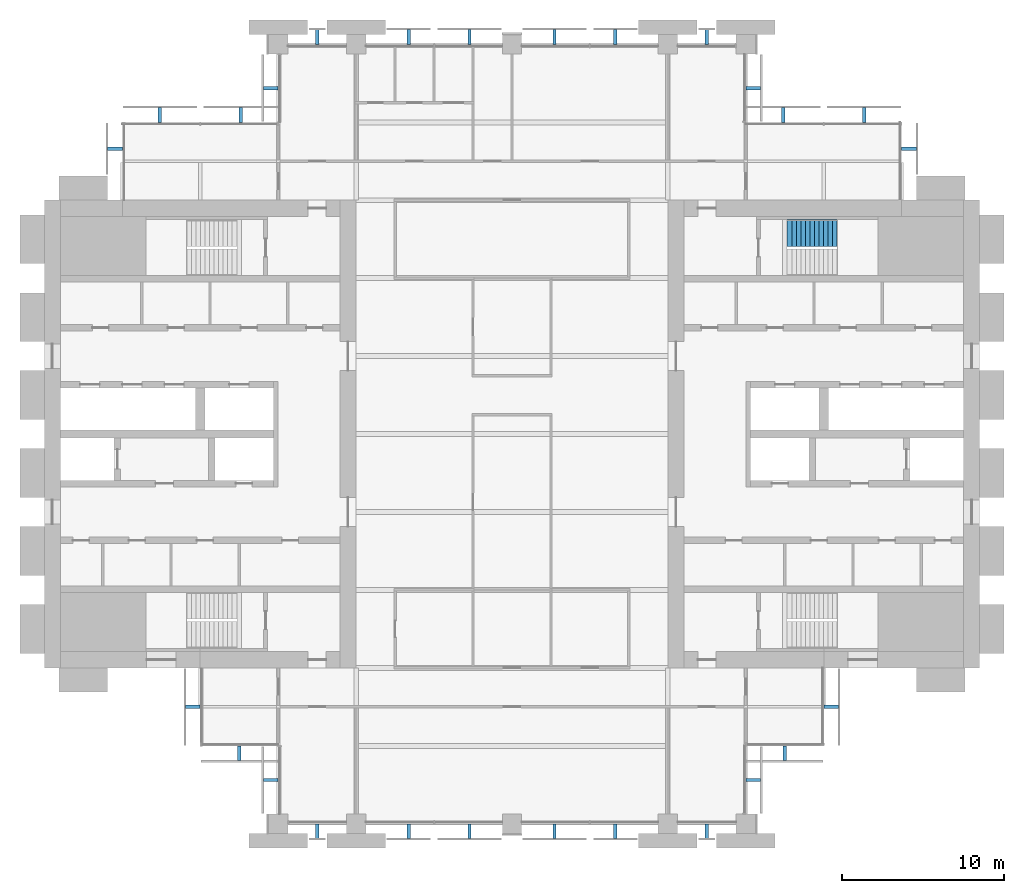
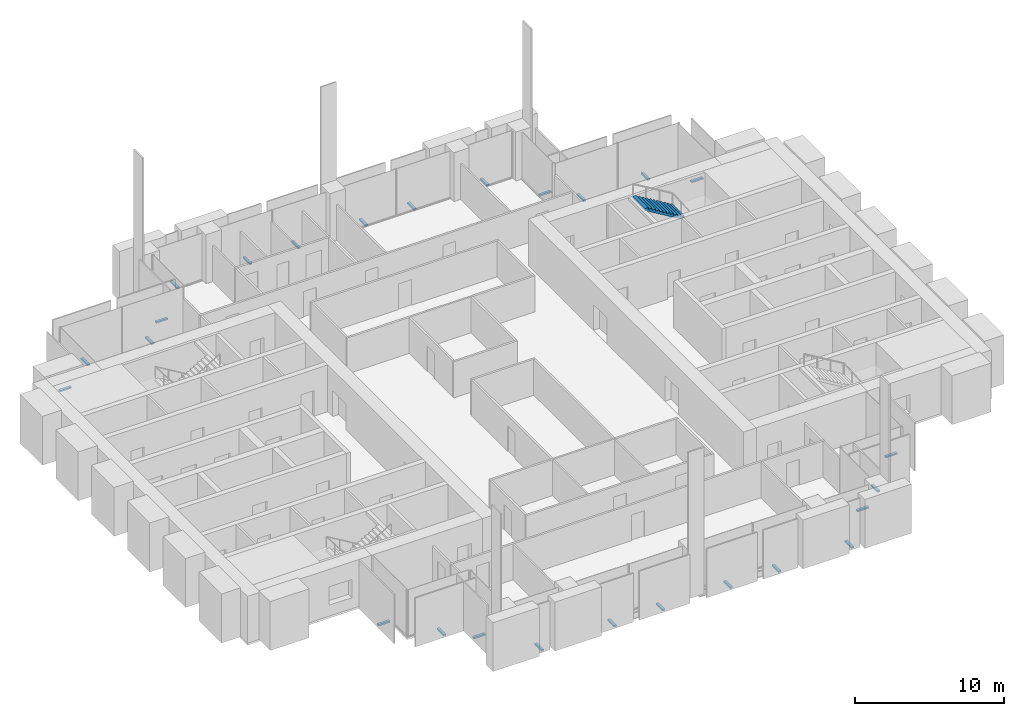
# One storey, part 13 of 14: 26 discrete accessories, 1 stair flight, 1 element without a shape of its own.
"""IFC4 building model written with IfcOpenShell, lengths in metres."""

from ifc_helpers import new_model, si_unit, direction, frame, origin, origin_2d, place, context, subcontext, project, spatial, polyline, rectangle, outline, extrude, material, type_object, element, aggregate, save


model = new_model("IFC4")

# Units and contexts
model_context = context("Model", 3, precision=1e-05, world=origin(), true_north=direction((0.0, 1.0)))
body_context = subcontext(model_context, "Body", "Model", "MODEL_VIEW")
ifc_project = project(units=[si_unit("LENGTHUNIT", "METRE"), si_unit("AREAUNIT", "SQUARE_METRE"), si_unit("VOLUMEUNIT", "CUBIC_METRE"), si_unit("PLANEANGLEUNIT", "RADIAN"), si_unit("MASSUNIT", "GRAM", prefix="KILO")], contexts=[model_context])

# Site, building, storey
site_placement = place(None, origin())
site = spatial("IfcSite", under=ifc_project, at=site_placement, CompositionType="ELEMENT")
building_placement = place(site_placement, origin())
building = spatial("IfcBuilding", under=site, at=building_placement, Name="Baori Bourse Tower", CompositionType="ELEMENT")
storey_placement = place(building_placement, frame((0.0, 0.0, 132.10009765625)))
storey = spatial("IfcBuildingStorey", under=building, at=storey_placement, Name="L28", CompositionType="ELEMENT", Elevation=132.10009765625)

# Stair, stair flight
ifc_material_1 = material(Name="Concrete f'c 50 MPa", Category="concrete")
stair_type = type_object("IfcStairType", Name="Core stair", PredefinedType="HALF_TURN_STAIR", material=ifc_material_1)
stair_placement = place(storey_placement, origin())
stair = element("IfcStair", 1, at=stair_placement, inside=storey, type_object=stair_type, Name="L28 Stair EB", PredefinedType="HALF_TURN_STAIR")
ifc_material_2 = material(Name="Concrete f'c 50 MPa", Category="concrete")
stair_flight_type = type_object("IfcStairFlightType", Name="Core stair flight", PredefinedType="STRAIGHT", material=ifc_material_2)
stair_flight_placement = place(storey_placement, frame((48.830078125, 36.375, 2.0), z_axis=(0.0, 0.0, 1.0), x_axis=(-1.0, 0.0, 0.0)))
stair_flight = element("IfcStairFlight", 2, at=stair_flight_placement, type_object=stair_flight_type, Name="ST4 flight 2", NumberOfRisers=12, NumberOfTreads=11, PredefinedType="STRAIGHT", RiserHeight=0.166666667, TreadLength=0.28, context=body_context, shape_type="SweptSolid", body=[
    extrude(outline(polyline([(0.0, 0.0), (0.0, 0.166748046875), (0.280029296875, 0.166748046875), (0.280029296875, 0.333251953125), (0.56005859375, 0.333251953125), (0.56005859375, 0.5), (0.840087890625, 0.5), (0.840087890625, 0.666748046875), (1.1201171875, 0.666748046875), (1.1201171875, 0.833251953125), (1.39990234375, 0.833251953125), (1.39990234375, 1.0), (1.679931640625, 1.0), (1.679931640625, 1.166748046875), (1.9599609375, 1.166748046875), (1.9599609375, 1.333251953125), (2.239990234375, 1.333251953125), (2.239990234375, 1.5), (2.52001953125, 1.5), (2.52001953125, 1.666748046875), (2.800048828125, 1.666748046875), (2.800048828125, 1.833251953125), (3.080078125, 1.833251953125), (3.080078125, 2.0), (3.080078125, 1.658935546875), (0.29296875, 0.0), (0.0, 0.0)])), frame((0.0, 0.824951171875, 0.0), z_axis=(0.0, -1.0, 0.0), x_axis=(1.0, 0.0, 0.0)), (0.0, 0.0, 1.0), 1.64990234375),
])
aggregate(stair, [stair_flight])

# Discrete accessories
ifc_material_3 = material(Name="Pale anodised aluminium", Category="aluminium")
discrete_accessory_type = type_object("IfcDiscreteAccessoryType", Name="OS2 Outer skin bracket", PredefinedType="BRACKET", material=ifc_material_3)
for number, where, z_axis, x_axis, name in (
    (3, (53.25, 41.574951171875, -0.14404296875), (0.0, 0.0, 1.0), (0.0, 1.0, 0.0), "Outer skin bracket L28 1"),
    (4, (50.487548828125, 43.64990234375, -0.14404296875), (0.0, 0.0, 1.0), (-1.0, 0.0, 0.0), "Outer skin bracket L28 2"),
    (5, (45.512451171875, 43.64990234375, -0.14404296875), (0.0, 0.0, 1.0), (-1.0, 0.0, 0.0), "Outer skin bracket L28 3"),
    (6, (43.64990234375, 45.300048828125, -0.14404296875), (0.0, 0.0, 1.0), (0.0, 1.0, 0.0), "Outer skin bracket L28 4"),
    (7, (40.800048828125, 48.449951171875, -0.14404296875), (0.0, 0.0, 1.0), (-1.0, 0.0, 0.0), "Outer skin bracket L28 5"),
    (8, (35.16259765625, 48.449951171875, -0.14404296875), (0.0, 0.0, 1.0), (-1.0, 0.0, 0.0), "Outer skin bracket L28 6"),
    (9, (31.41259765625, 48.449951171875, -0.14404296875), (0.0, 0.0, 1.0), (-1.0, 0.0, 0.0), "Outer skin bracket L28 7"),
    (10, (26.1875, 48.449951171875, -0.14404296875), (0.0, 0.0, 1.0), (-1.0, 0.0, 0.0), "Outer skin bracket L28 8"),
    (11, (22.4375, 48.449951171875, -0.14404296875), (0.0, 0.0, 1.0), (-1.0, 0.0, 0.0), "Outer skin bracket L28 9"),
    (12, (16.800048828125, 48.449951171875, -0.14404296875), (0.0, 0.0, 1.0), (-1.0, 0.0, 0.0), "Outer skin bracket L28 10"),
    (13, (13.949951171875, 45.300048828125, -0.14404296875), (0.0, 0.0, 1.0), (0.0, -1.0, 0.0), "Outer skin bracket L28 11"),
    (14, (12.08740234375, 43.64990234375, -0.14404296875), (0.0, 0.0, 1.0), (-1.0, 0.0, 0.0), "Outer skin bracket L28 12"),
    (15, (7.112548828125, 43.64990234375, -0.14404296875), (0.0, 0.0, 1.0), (-1.0, 0.0, 0.0), "Outer skin bracket L28 13"),
    (16, (4.35009765625, 41.574951171875, -0.14404296875), (0.0, 0.0, 1.0), (0.0, -1.0, 0.0), "Outer skin bracket L28 14"),
    (17, (9.14990234375, 7.199951171875, -0.14404296875), (0.0, 0.0, 1.0), (0.0, -1.0, 0.0), "Outer skin bracket L28 15"),
    (18, (12.0, 4.35009765625, -0.14404296875), (0.0, 0.0, 1.0), (1.0, 0.0, 0.0), "Outer skin bracket L28 16"),
    (19, (13.949951171875, 2.699951171875, -0.14404296875), (0.0, 0.0, 1.0), (0.0, -1.0, 0.0), "Outer skin bracket L28 17"),
    (20, (16.800048828125, -0.449951171875, -0.14404296875), (0.0, 0.0, 1.0), (1.0, 0.0, 0.0), "Outer skin bracket L28 18"),
    (21, (22.4375, -0.449951171875, -0.14404296875), (0.0, 0.0, 1.0), (1.0, 0.0, 0.0), "Outer skin bracket L28 19"),
    (22, (26.1875, -0.449951171875, -0.14404296875), (0.0, 0.0, 1.0), (1.0, 0.0, 0.0), "Outer skin bracket L28 20"),
    (23, (31.41259765625, -0.449951171875, -0.14404296875), (0.0, 0.0, 1.0), (1.0, 0.0, 0.0), "Outer skin bracket L28 21"),
    (24, (35.16259765625, -0.449951171875, -0.14404296875), (0.0, 0.0, 1.0), (1.0, 0.0, 0.0), "Outer skin bracket L28 22"),
    (25, (40.800048828125, -0.449951171875, -0.14404296875), (0.0, 0.0, 1.0), (1.0, 0.0, 0.0), "Outer skin bracket L28 23"),
    (26, (43.64990234375, 2.699951171875, -0.14404296875), (0.0, 0.0, 1.0), (0.0, 1.0, 0.0), "Outer skin bracket L28 24"),
    (27, (45.60009765625, 4.35009765625, -0.14404296875), (0.0, 0.0, 1.0), (1.0, 0.0, 0.0), "Outer skin bracket L28 25"),
    (28, (48.449951171875, 7.199951171875, -0.14404296875), (0.0, 0.0, 1.0), (0.0, 1.0, 0.0), "Outer skin bracket L28 26"),
):
    element("IfcDiscreteAccessory", number, at=place(storey_placement, frame(where, z_axis=z_axis, x_axis=x_axis)), inside=storey, type_object=discrete_accessory_type, Name=name, PredefinedType="BRACKET", context=body_context, shape_type="SweptSolid", body=[
        extrude(rectangle(XDim=0.199951171875, YDim=0.89990234375, at=origin_2d()), origin(), (0.0, 0.0, 1.0), 0.1279296875),
    ])

save(model, "model.ifc")
